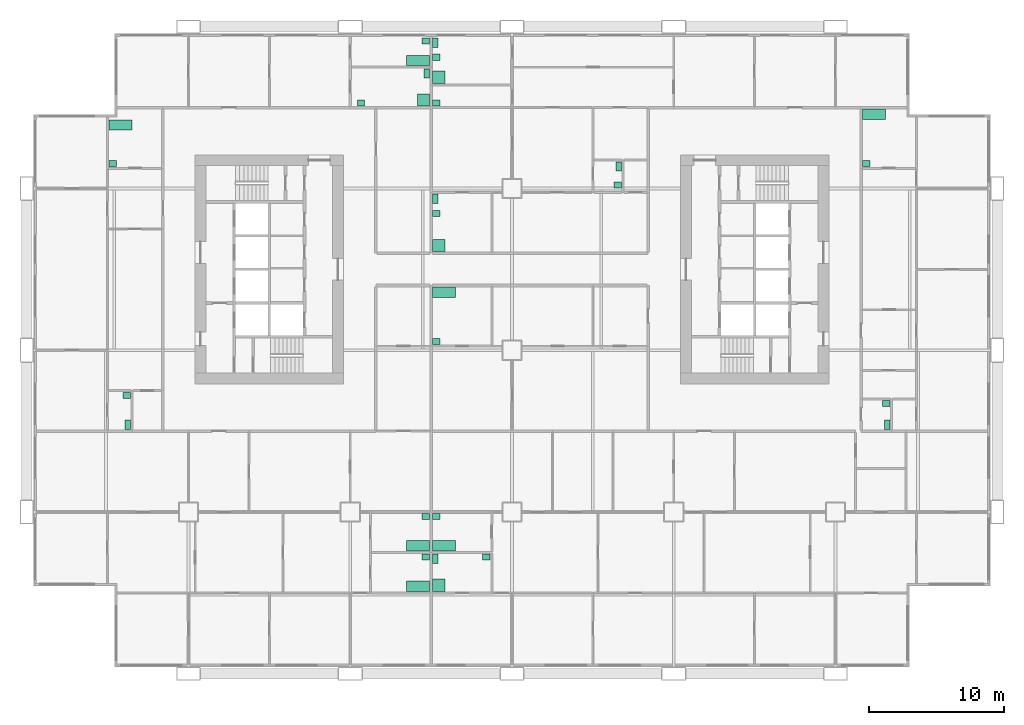
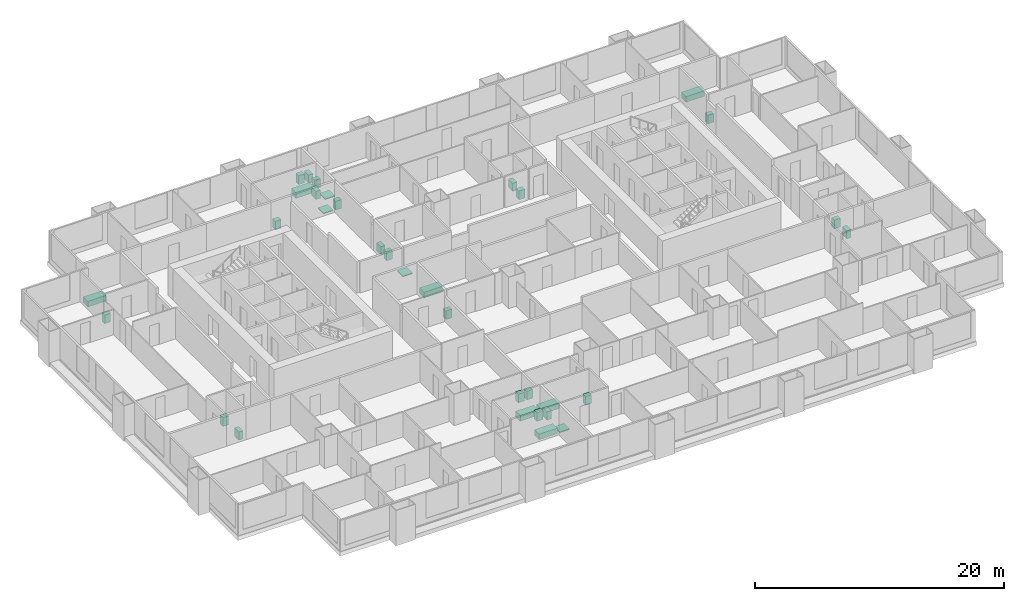
# One storey, part 13 of 13: 33 sanitary terminals.
"""IFC4 building model written with IfcOpenShell, lengths in metres."""

from ifc_helpers import new_model, si_unit, direction, frame, origin, origin_2d, place, context, subcontext, project, spatial, rectangle, extrude, material, type_object, element, save


model = new_model("IFC4")

# Units and contexts
model_context = context("Model", 3, precision=1e-05, world=origin(), true_north=direction((0.0, 1.0)))
body_context = subcontext(model_context, "Body", "Model", "MODEL_VIEW")
ifc_project = project(units=[si_unit("LENGTHUNIT", "METRE"), si_unit("AREAUNIT", "SQUARE_METRE"), si_unit("VOLUMEUNIT", "CUBIC_METRE"), si_unit("PLANEANGLEUNIT", "RADIAN"), si_unit("MASSUNIT", "GRAM", prefix="KILO")], contexts=[model_context])

# Site, building, storey
site_placement = place(None, origin())
site = spatial("IfcSite", under=ifc_project, at=site_placement, CompositionType="ELEMENT")
building_placement = place(site_placement, origin())
building = spatial("IfcBuilding", under=site, at=building_placement, Name="Kitamizu Gate Tower and Museum", CompositionType="ELEMENT")
storey_placement = place(building_placement, frame((0.0, 0.0, 47.25)))
storey = spatial("IfcBuildingStorey", under=building, at=storey_placement, Name="L10", CompositionType="ELEMENT", Elevation=47.25)

# Sanitary terminals
ifc_material_1 = material(Name="Acrylic")
sanitary_terminal_type_1 = type_object("IfcSanitaryTerminalType", Name="Bath", PredefinedType="BATH", material=ifc_material_1)
for number, where, z_axis, x_axis, name in (
    (1, (29.030029296875, 6.4951171875, 0.0009765625), (0.0, 0.0, 1.0), (1.0, 0.0, 0.0), "Bath Bathroom and WC 10A"),
    (2, (29.030029296875, 9.4951171875, 0.0009765625), (0.0, 0.0, 1.0), (1.0, 0.0, 0.0), "Bath Bathroom 10A"),
    (3, (30.969970703125, 9.4951171875, 0.0009765625), (0.0, 0.0, 1.0), (1.0, 0.0, 0.0), "Bath Bathroom 10B"),
    (4, (30.969970703125, 28.304931640625, 0.0009765625), (0.0, 0.0, 1.0), (1.0, 0.0, 0.0), "Bath Bathroom and WC 10C"),
    (5, (29.030029296875, 45.4951171875, 0.0009765625), (0.0, 0.0, 1.0), (1.0, 0.0, 0.0), "Bath Bathroom 10D"),
    (6, (6.969970703125, 40.705078125, 0.0009765625), (0.0, 0.0, 1.0), (1.0, 0.0, 0.0), "Bath Bathroom 10F"),
    (7, (62.8701171875, 41.5048828125, 0.0009765625), (0.0, 0.0, 1.0), (1.0, 0.0, 0.0), "Bath Bathroom 10H"),
):
    element("IfcSanitaryTerminal", number, at=place(storey_placement, frame(where, z_axis=z_axis, x_axis=x_axis)), inside=storey, type_object=sanitary_terminal_type_1, Name=name, PredefinedType="BATH", context=body_context, shape_type="SweptSolid", body=[
        extrude(rectangle(XDim=1.699951171875, YDim=0.75, at=origin_2d()), origin(), (0.0, 0.0, 1.0), 0.550048828125),
    ])
ifc_material_2 = material(Name="Acrylic")
sanitary_terminal_type_2 = type_object("IfcSanitaryTerminalType", Name="Shower tray", PredefinedType="SHOWER", material=ifc_material_2)
for number, where, z_axis, x_axis, name in (
    (8, (30.570068359375, 6.570068359375, 0.0009765625), (0.0, 0.0, 1.0), (1.0, 0.0, 0.0), "Shower tray En-suite bathroom and WC 10B"),
    (9, (29.429931640625, 42.570068359375, 0.0009765625), (0.0, 0.0, 1.0), (1.0, 0.0, 0.0), "Shower tray En-suite bathroom and WC 10D"),
    (10, (30.570068359375, 44.25, 0.0009765625), (0.0, 0.0, 1.0), (1.0, 0.0, 0.0), "Shower tray En-suite bathroom 10G"),
    (11, (30.570068359375, 31.77001953125, 0.0009765625), (0.0, 0.0, 1.0), (1.0, 0.0, 0.0), "Shower tray En-suite bathroom 10G"),
):
    element("IfcSanitaryTerminal", number, at=place(storey_placement, frame(where, z_axis=z_axis, x_axis=x_axis)), inside=storey, type_object=sanitary_terminal_type_2, Name=name, PredefinedType="SHOWER", context=body_context, shape_type="SweptSolid", body=[
        extrude(rectangle(XDim=0.89990234375, YDim=0.89990234375, at=origin_2d()), origin(), (0.0, 0.0, 1.0), 0.10009765625),
    ])
ifc_material_3 = material(Name="Vitreous china")
sanitary_terminal_type_3 = type_object("IfcSanitaryTerminalType", Name="Wash hand basin", PredefinedType="WASHHANDBASIN", material=ifc_material_3)
for number, where, z_axis, x_axis, name in (
    (12, (29.60498046875, 8.655029296875, 0.0009765625), (0.0, 0.0, 1.0), (1.0, 0.0, 0.0), "Wash hand basin Bathroom and WC 10A"),
    (13, (29.60498046875, 11.655029296875, 0.0009765625), (0.0, 0.0, 1.0), (1.0, 0.0, 0.0), "Wash hand basin Bathroom 10A"),
    (14, (34.10498046875, 8.655029296875, 0.0009765625), (0.0, 0.0, 1.0), (1.0, 0.0, 0.0), "Wash hand basin En-suite bathroom and WC 10B"),
    (15, (30.39501953125, 11.655029296875, 0.0009765625), (0.0, 0.0, 1.0), (1.0, 0.0, 0.0), "Wash hand basin Bathroom 10B"),
    (16, (30.39501953125, 24.64501953125, 0.0009765625), (0.0, 0.0, 1.0), (1.0, 0.0, 0.0), "Wash hand basin Bathroom and WC 10C"),
    (17, (24.794921875, 42.344970703125, 0.0009765625), (0.0, 0.0, 1.0), (1.0, 0.0, 0.0), "Wash hand basin En-suite bathroom and WC 10D"),
    (18, (29.60498046875, 46.93505859375, 0.0009765625), (0.0, 0.0, 1.0), (1.0, 0.0, 0.0), "Wash hand basin Bathroom 10D"),
    (19, (7.405029296875, 20.655029296875, 0.0009765625), (0.0, 0.0, 1.0), (1.0, 0.0, 0.0), "Wash hand basin WC 10F"),
    (20, (6.39501953125, 37.844970703125, 0.0009765625), (0.0, 0.0, 1.0), (1.0, 0.0, 0.0), "Wash hand basin Bathroom 10F"),
    (21, (30.39501953125, 45.735107421875, 0.0009765625), (0.0, 0.0, 1.0), (1.0, 0.0, 0.0), "Wash hand basin En-suite bathroom 10G"),
    (22, (30.39501953125, 42.344970703125, 0.0009765625), (0.0, 0.0, 1.0), (1.0, 0.0, 0.0), "Wash hand basin Wash room 10G"),
    (23, (43.85498046875, 36.2451171875, 0.0009765625), (0.0, 0.0, 1.0), (1.0, 0.0, 0.0), "Wash hand basin WC 10G"),
    (24, (30.39501953125, 34.155029296875, 0.0009765625), (0.0, 0.0, 1.0), (1.0, 0.0, 0.0), "Wash hand basin En-suite bathroom 10G"),
    (25, (63.7548828125, 20.054931640625, 0.0009765625), (0.0, 0.0, 1.0), (1.0, 0.0, 0.0), "Wash hand basin WC 10H"),
    (26, (62.294921875, 37.844970703125, 0.0009765625), (0.0, 0.0, 1.0), (1.0, 0.0, 0.0), "Wash hand basin Bathroom 10H"),
):
    element("IfcSanitaryTerminal", number, at=place(storey_placement, frame(where, z_axis=z_axis, x_axis=x_axis)), inside=storey, type_object=sanitary_terminal_type_3, Name=name, PredefinedType="WASHHANDBASIN", context=body_context, shape_type="SweptSolid", body=[
        extrude(rectangle(XDim=0.550048828125, YDim=0.449951171875, at=origin_2d()), origin(), (0.0, 0.0, 1.0), 0.85009765625),
    ])
ifc_material_4 = material(Name="Vitreous china")
sanitary_terminal_type_4 = type_object("IfcSanitaryTerminalType", Name="Water closet", PredefinedType="TOILETPAN", material=ifc_material_4)
for number, where, z_axis, x_axis, name in (
    (27, (30.320068359375, 8.530029296875, 0.0009765625), (0.0, 0.0, 1.0), (1.0, 0.0, 0.0), "Water closet En-suite bathroom and WC 10B"),
    (28, (29.679931640625, 44.530029296875, 0.0009765625), (0.0, 0.0, 1.0), (1.0, 0.0, 0.0), "Water closet En-suite bathroom and WC 10D"),
    (29, (7.47998046875, 18.469970703125, 0.0009765625), (0.0, 0.0, 1.0), (1.0, 0.0, 0.0), "Water closet WC 10F"),
    (30, (30.320068359375, 46.81005859375, 0.0009765625), (0.0, 0.0, 1.0), (1.0, 0.0, 0.0), "Water closet En-suite bathroom 10G"),
    (31, (43.929931640625, 37.6298828125, 0.0009765625), (0.0, 0.0, 1.0), (1.0, 0.0, 0.0), "Water closet WC 10G"),
    (32, (30.320068359375, 35.22998046875, 0.0009765625), (0.0, 0.0, 1.0), (1.0, 0.0, 0.0), "Water closet En-suite bathroom 10G"),
    (33, (63.830078125, 18.469970703125, 0.0009765625), (0.0, 0.0, 1.0), (1.0, 0.0, 0.0), "Water closet WC 10H"),
):
    element("IfcSanitaryTerminal", number, at=place(storey_placement, frame(where, z_axis=z_axis, x_axis=x_axis)), inside=storey, type_object=sanitary_terminal_type_4, Name=name, PredefinedType="TOILETPAN", context=body_context, shape_type="SweptSolid", body=[
        extrude(rectangle(XDim=0.39990234375, YDim=0.699951171875, at=origin_2d()), origin(), (0.0, 0.0, 1.0), 0.800048828125),
    ])

save(model, "model.ifc")
